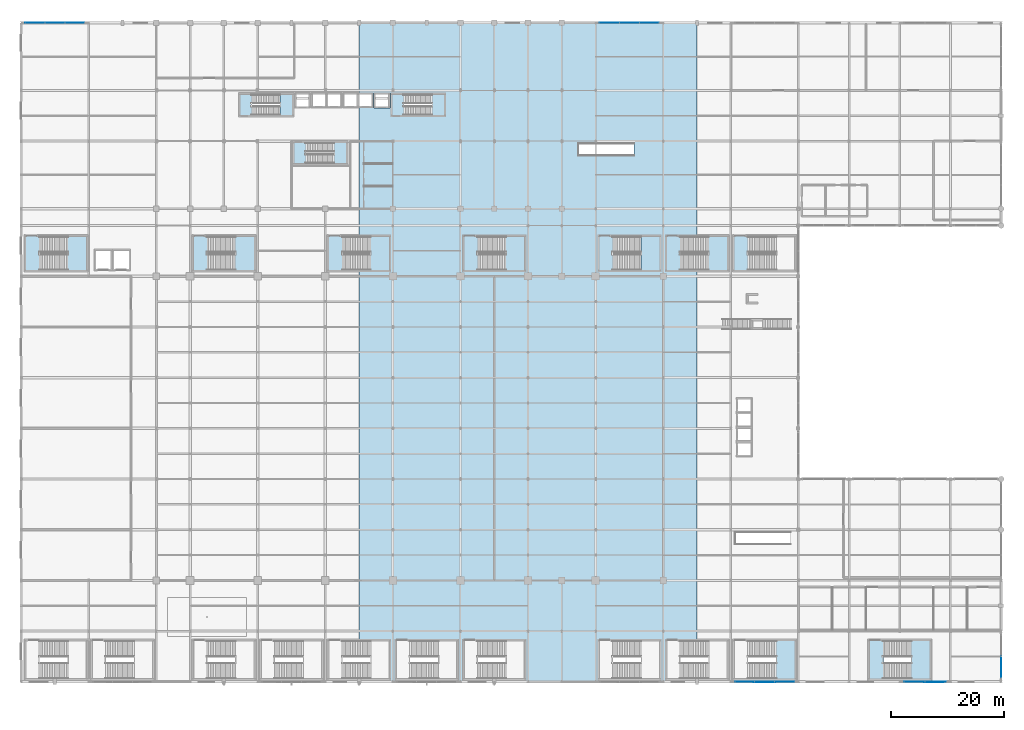
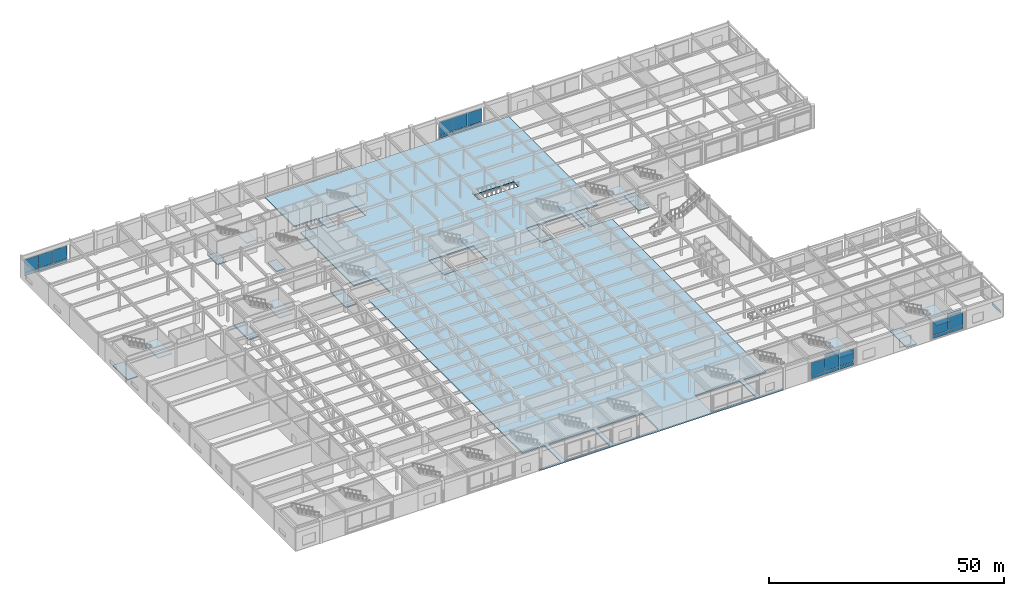
# One storey, part 85 of 108: 25 plates, 23 slabs, 16 elements without a shape of their own.
"""IFC4 building model written with IfcOpenShell, lengths in metres."""

from ifc_helpers import new_model, si_unit, direction, frame, origin, origin_2d, place, context, subcontext, project, spatial, polyline, rectangle, outline, extrude, material, layer, layer_set, type_object, element, aggregate, save


model = new_model("IFC4")

# Units and contexts
model_context = context("Model", 3, precision=1e-05, world=origin(), true_north=direction((0.0, 1.0)))
body_context = subcontext(model_context, "Body", "Model", "MODEL_VIEW")
ifc_project = project(units=[si_unit("LENGTHUNIT", "METRE"), si_unit("AREAUNIT", "SQUARE_METRE"), si_unit("VOLUMEUNIT", "CUBIC_METRE"), si_unit("PLANEANGLEUNIT", "RADIAN"), si_unit("MASSUNIT", "GRAM", prefix="KILO")], contexts=[model_context])

# Site, building, storey
site_placement = place(None, origin())
site = spatial("IfcSite", under=ifc_project, at=site_placement, CompositionType="ELEMENT")
building_placement = place(site_placement, origin())
building = spatial("IfcBuilding", under=site, at=building_placement, Name="Kaldorvane Square Convention Centre", CompositionType="ELEMENT")
storey_placement = place(building_placement, frame((0.0, 0.0, 12.0)))
storey = spatial("IfcBuildingStorey", under=building, at=storey_placement, Name="L02", CompositionType="ELEMENT", Elevation=12.0)

# Curtain wall, plates
ifc_material_1 = material(Name="Anodized Aluminum and Low-E Insulated Glazing", Category="aluminium")
curtain_wall_type_1 = type_object("IfcCurtainWallType", Name="CW-UNI-P60-12", PredefinedType="USERDEFINED", material=ifc_material_1)
curtain_wall_1_placement = place(storey_placement, origin())
curtain_wall_1 = element("IfcCurtainWall", 1, at=curtain_wall_1_placement, inside=storey, type_object=curtain_wall_type_1, Name="Curtain Wall CW-01 (L02)", ObjectType="UNITISED GLAZING", PredefinedType="USERDEFINED")
ifc_layer_1 = layer(ifc_material_1, 0.037994384765625)
ifc_layer_set_1 = layer_set([ifc_layer_1], Name="Anodized Aluminum and Low-E Insulated Glazing")
plate_type_1 = type_object("IfcPlateType", Name="CW-PNL-01", PredefinedType="CURTAIN_PANEL", material=ifc_layer_set_1)
plate_1_placement = place(storey_placement, frame((128.48541259765625, 0.0, 0.214996337890625), z_axis=(0.0, 0.0, 1.0), x_axis=(1.0, 0.0, 0.0)))
plate_1 = element("IfcPlate", 2, at=plate_1_placement, type_object=plate_type_1, Name="CW-01 panel 1.1", PredefinedType="CURTAIN_PANEL", context=body_context, shape_type="SweptSolid", body=[
    extrude(rectangle(XDim=3.42083740234375, YDim=0.037994384765625, at=origin_2d()), origin(), (0.0, 0.0, 1.0), 0.8025054931640625),
])
plate_2_placement = place(storey_placement, frame((128.48541259765625, 0.0, 1.082489013671875), z_axis=(0.0, 0.0, 1.0), x_axis=(1.0, 0.0, 0.0)))
plate_2 = element("IfcPlate", 3, at=plate_2_placement, type_object=plate_type_1, Name="CW-01 panel 1.2", PredefinedType="CURTAIN_PANEL", context=body_context, shape_type="SweptSolid", body=[
    extrude(rectangle(XDim=3.42083740234375, YDim=0.037994384765625, at=origin_2d()), origin(), (0.0, 0.0, 1.0), 3.38250732421875),
])
plate_3_placement = place(storey_placement, frame((132.0, 0.0, 0.214996337890625), z_axis=(0.0, 0.0, 1.0), x_axis=(1.0, 0.0, 0.0)))
plate_3 = element("IfcPlate", 4, at=plate_3_placement, type_object=plate_type_1, Name="CW-01 panel 2.1", PredefinedType="CURTAIN_PANEL", context=body_context, shape_type="SweptSolid", body=[
    extrude(rectangle(XDim=3.4583282470703125, YDim=0.037994384765625, at=origin_2d()), origin(), (0.0, 0.0, 1.0), 0.8025054931640625),
])
plate_4_placement = place(storey_placement, frame((132.0, 0.0, 1.082489013671875), z_axis=(0.0, 0.0, 1.0), x_axis=(1.0, 0.0, 0.0)))
plate_4 = element("IfcPlate", 5, at=plate_4_placement, type_object=plate_type_1, Name="CW-01 panel 2.2", PredefinedType="CURTAIN_PANEL", context=body_context, shape_type="SweptSolid", body=[
    extrude(rectangle(XDim=3.4583282470703125, YDim=0.037994384765625, at=origin_2d()), origin(), (0.0, 0.0, 1.0), 3.38250732421875),
])
plate_5_placement = place(storey_placement, frame((135.51458740234375, 0.0, 0.214996337890625), z_axis=(0.0, 0.0, 1.0), x_axis=(1.0, 0.0, 0.0)))
plate_5 = element("IfcPlate", 6, at=plate_5_placement, type_object=plate_type_1, Name="CW-01 panel 3.1", PredefinedType="CURTAIN_PANEL", context=body_context, shape_type="SweptSolid", body=[
    extrude(rectangle(XDim=3.42083740234375, YDim=0.037994384765625, at=origin_2d()), origin(), (0.0, 0.0, 1.0), 0.8025054931640625),
])
plate_6_placement = place(storey_placement, frame((135.51458740234375, 0.0, 1.082489013671875), z_axis=(0.0, 0.0, 1.0), x_axis=(1.0, 0.0, 0.0)))
plate_6 = element("IfcPlate", 7, at=plate_6_placement, type_object=plate_type_1, Name="CW-01 panel 3.2", PredefinedType="CURTAIN_PANEL", context=body_context, shape_type="SweptSolid", body=[
    extrude(rectangle(XDim=3.42083740234375, YDim=0.037994384765625, at=origin_2d()), origin(), (0.0, 0.0, 1.0), 3.38250732421875),
])
aggregate(curtain_wall_1, [plate_1, plate_2, plate_3, plate_4, plate_5, plate_6])

curtain_wall_2_placement = place(storey_placement, origin())
curtain_wall_2 = element("IfcCurtainWall", 8, at=curtain_wall_2_placement, inside=storey, type_object=curtain_wall_type_1, Name="Curtain Wall CW-01 (L02)", ObjectType="UNITISED GLAZING", PredefinedType="USERDEFINED")
plate_7_placement = place(storey_placement, frame((158.61874389648438, 0.0, 0.214996337890625), z_axis=(0.0, 0.0, 1.0), x_axis=(1.0, 0.0, 0.0)))
plate_7 = element("IfcPlate", 9, at=plate_7_placement, type_object=plate_type_1, Name="CW-01 panel 1.1", PredefinedType="CURTAIN_PANEL", context=body_context, shape_type="SweptSolid", body=[
    extrude(rectangle(XDim=3.6875, YDim=0.037994384765625, at=origin_2d()), origin(), (0.0, 0.0, 1.0), 0.8025054931640625),
])
plate_8_placement = place(storey_placement, frame((158.61874389648438, 0.0, 1.082489013671875), z_axis=(0.0, 0.0, 1.0), x_axis=(1.0, 0.0, 0.0)))
plate_8 = element("IfcPlate", 10, at=plate_8_placement, type_object=plate_type_1, Name="CW-01 panel 1.2", PredefinedType="CURTAIN_PANEL", context=body_context, shape_type="SweptSolid", body=[
    extrude(rectangle(XDim=3.6875, YDim=0.037994384765625, at=origin_2d()), origin(), (0.0, 0.0, 1.0), 3.38250732421875),
])
plate_9_placement = place(storey_placement, frame((162.38125610351562, 0.0, 0.214996337890625), z_axis=(0.0, 0.0, 1.0), x_axis=(1.0, 0.0, 0.0)))
plate_9 = element("IfcPlate", 11, at=plate_9_placement, type_object=plate_type_1, Name="CW-01 panel 2.1", PredefinedType="CURTAIN_PANEL", context=body_context, shape_type="SweptSolid", body=[
    extrude(rectangle(XDim=3.6875, YDim=0.037994384765625, at=origin_2d()), origin(), (0.0, 0.0, 1.0), 0.8025054931640625),
])
plate_10_placement = place(storey_placement, frame((162.38125610351562, 0.0, 1.082489013671875), z_axis=(0.0, 0.0, 1.0), x_axis=(1.0, 0.0, 0.0)))
plate_10 = element("IfcPlate", 12, at=plate_10_placement, type_object=plate_type_1, Name="CW-01 panel 2.2", PredefinedType="CURTAIN_PANEL", context=body_context, shape_type="SweptSolid", body=[
    extrude(rectangle(XDim=3.6875, YDim=0.037994384765625, at=origin_2d()), origin(), (0.0, 0.0, 1.0), 3.38250732421875),
])
aggregate(curtain_wall_2, [plate_7, plate_8, plate_9, plate_10])

curtain_wall_type_2 = type_object("IfcCurtainWallType", Name="CW-UNI-P60-09", PredefinedType="USERDEFINED", material=ifc_material_1)
curtain_wall_3_placement = place(storey_placement, origin())
curtain_wall_3 = element("IfcCurtainWall", 13, at=curtain_wall_3_placement, inside=storey, type_object=curtain_wall_type_2, Name="Curtain Wall CW-02 (L02)", ObjectType="UNITISED GLAZING", PredefinedType="USERDEFINED")
ifc_layer_2 = layer(ifc_material_1, 0.0359954833984375)
ifc_layer_set_2 = layer_set([ifc_layer_2], Name="Anodized Aluminum and Low-E Insulated Glazing")
plate_type_2 = type_object("IfcPlateType", Name="CW-PNL-02", PredefinedType="CURTAIN_PANEL", material=ifc_layer_set_2)
plate_11_placement = place(storey_placement, frame((9.51708984375, 117.0, 0.2100067138671875), z_axis=(0.0, 0.0, 1.0), x_axis=(-1.0, 0.0, 0.0)))
plate_11 = element("IfcPlate", 14, at=plate_11_placement, type_object=plate_type_2, Name="CW-02 panel 1.1", PredefinedType="CURTAIN_PANEL", context=body_context, shape_type="SweptSolid", body=[
    extrude(rectangle(XDim=3.4358367919921875, YDim=0.0359954833984375, at=origin_2d()), origin(), (0.0, 0.0, 1.0), 0.80999755859375),
])
plate_12_placement = place(storey_placement, frame((9.51708984375, 117.0, 1.079986572265625), z_axis=(0.0, 0.0, 1.0), x_axis=(-1.0, 0.0, 0.0)))
plate_12 = element("IfcPlate", 15, at=plate_12_placement, type_object=plate_type_2, Name="CW-02 panel 1.2", PredefinedType="CURTAIN_PANEL", context=body_context, shape_type="SweptSolid", body=[
    extrude(rectangle(XDim=3.4358367919921875, YDim=0.0359954833984375, at=origin_2d()), origin(), (0.0, 0.0, 1.0), 3.3899993896484375),
])
plate_13_placement = place(storey_placement, frame((6.0, 117.0, 0.2100067138671875), z_axis=(0.0, 0.0, 1.0), x_axis=(-1.0, 0.0, 0.0)))
plate_13 = element("IfcPlate", 16, at=plate_13_placement, type_object=plate_type_2, Name="CW-02 panel 2.1", PredefinedType="CURTAIN_PANEL", context=body_context, shape_type="SweptSolid", body=[
    extrude(rectangle(XDim=3.4683380126953125, YDim=0.0359954833984375, at=origin_2d()), origin(), (0.0, 0.0, 1.0), 0.80999755859375),
])
plate_14_placement = place(storey_placement, frame((6.0, 117.0, 1.079986572265625), z_axis=(0.0, 0.0, 1.0), x_axis=(-1.0, 0.0, 0.0)))
plate_14 = element("IfcPlate", 17, at=plate_14_placement, type_object=plate_type_2, Name="CW-02 panel 2.2", PredefinedType="CURTAIN_PANEL", context=body_context, shape_type="SweptSolid", body=[
    extrude(rectangle(XDim=3.4683380126953125, YDim=0.0359954833984375, at=origin_2d()), origin(), (0.0, 0.0, 1.0), 3.3899993896484375),
])
plate_15_placement = place(storey_placement, frame((2.48291015625, 117.0, 0.2100067138671875), z_axis=(0.0, 0.0, 1.0), x_axis=(-1.0, 0.0, 0.0)))
plate_15 = element("IfcPlate", 18, at=plate_15_placement, type_object=plate_type_2, Name="CW-02 panel 3.1", PredefinedType="CURTAIN_PANEL", context=body_context, shape_type="SweptSolid", body=[
    extrude(rectangle(XDim=3.4358367919921875, YDim=0.0359954833984375, at=origin_2d()), origin(), (0.0, 0.0, 1.0), 0.80999755859375),
])
plate_16_placement = place(storey_placement, frame((2.48291015625, 117.0, 1.079986572265625), z_axis=(0.0, 0.0, 1.0), x_axis=(-1.0, 0.0, 0.0)))
plate_16 = element("IfcPlate", 19, at=plate_16_placement, type_object=plate_type_2, Name="CW-02 panel 3.2", PredefinedType="CURTAIN_PANEL", context=body_context, shape_type="SweptSolid", body=[
    extrude(rectangle(XDim=3.4358367919921875, YDim=0.0359954833984375, at=origin_2d()), origin(), (0.0, 0.0, 1.0), 3.3899993896484375),
])
aggregate(curtain_wall_3, [plate_11, plate_12, plate_13, plate_14, plate_15, plate_16])

curtain_wall_4_placement = place(storey_placement, origin())
curtain_wall_4 = element("IfcCurtainWall", 20, at=curtain_wall_4_placement, inside=storey, type_object=curtain_wall_type_2, Name="Curtain Wall CW-02 (L02)", ObjectType="UNITISED GLAZING", PredefinedType="USERDEFINED")
plate_17_placement = place(storey_placement, frame((111.51708984375, 117.0, 0.2100067138671875), z_axis=(0.0, 0.0, 1.0), x_axis=(-1.0, 0.0, 0.0)))
plate_17 = element("IfcPlate", 21, at=plate_17_placement, type_object=plate_type_2, Name="CW-02 panel 1.1", PredefinedType="CURTAIN_PANEL", context=body_context, shape_type="SweptSolid", body=[
    extrude(rectangle(XDim=3.4358367919921875, YDim=0.0359954833984375, at=origin_2d()), origin(), (0.0, 0.0, 1.0), 0.80999755859375),
])
plate_18_placement = place(storey_placement, frame((111.51708984375, 117.0, 1.079986572265625), z_axis=(0.0, 0.0, 1.0), x_axis=(-1.0, 0.0, 0.0)))
plate_18 = element("IfcPlate", 22, at=plate_18_placement, type_object=plate_type_2, Name="CW-02 panel 1.2", PredefinedType="CURTAIN_PANEL", context=body_context, shape_type="SweptSolid", body=[
    extrude(rectangle(XDim=3.4358367919921875, YDim=0.0359954833984375, at=origin_2d()), origin(), (0.0, 0.0, 1.0), 3.3899993896484375),
])
plate_19_placement = place(storey_placement, frame((108.0, 117.0, 0.2100067138671875), z_axis=(0.0, 0.0, 1.0), x_axis=(-1.0, 0.0, 0.0)))
plate_19 = element("IfcPlate", 23, at=plate_19_placement, type_object=plate_type_2, Name="CW-02 panel 2.1", PredefinedType="CURTAIN_PANEL", context=body_context, shape_type="SweptSolid", body=[
    extrude(rectangle(XDim=3.4683380126953125, YDim=0.0359954833984375, at=origin_2d()), origin(), (0.0, 0.0, 1.0), 0.80999755859375),
])
plate_20_placement = place(storey_placement, frame((108.0, 117.0, 1.079986572265625), z_axis=(0.0, 0.0, 1.0), x_axis=(-1.0, 0.0, 0.0)))
plate_20 = element("IfcPlate", 24, at=plate_20_placement, type_object=plate_type_2, Name="CW-02 panel 2.2", PredefinedType="CURTAIN_PANEL", context=body_context, shape_type="SweptSolid", body=[
    extrude(rectangle(XDim=3.4683380126953125, YDim=0.0359954833984375, at=origin_2d()), origin(), (0.0, 0.0, 1.0), 3.3899993896484375),
])
plate_21_placement = place(storey_placement, frame((104.48291015625, 117.0, 0.2100067138671875), z_axis=(0.0, 0.0, 1.0), x_axis=(-1.0, 0.0, 0.0)))
plate_21 = element("IfcPlate", 25, at=plate_21_placement, type_object=plate_type_2, Name="CW-02 panel 3.1", PredefinedType="CURTAIN_PANEL", context=body_context, shape_type="SweptSolid", body=[
    extrude(rectangle(XDim=3.4358367919921875, YDim=0.0359954833984375, at=origin_2d()), origin(), (0.0, 0.0, 1.0), 0.80999755859375),
])
plate_22_placement = place(storey_placement, frame((104.48291015625, 117.0, 1.079986572265625), z_axis=(0.0, 0.0, 1.0), x_axis=(-1.0, 0.0, 0.0)))
plate_22 = element("IfcPlate", 26, at=plate_22_placement, type_object=plate_type_2, Name="CW-02 panel 3.2", PredefinedType="CURTAIN_PANEL", context=body_context, shape_type="SweptSolid", body=[
    extrude(rectangle(XDim=3.4358367919921875, YDim=0.0359954833984375, at=origin_2d()), origin(), (0.0, 0.0, 1.0), 3.3899993896484375),
])
aggregate(curtain_wall_4, [plate_17, plate_18, plate_19, plate_20, plate_21, plate_22])

# Curtain wall, plate
curtain_wall_5_placement = place(storey_placement, origin())
curtain_wall_5 = element("IfcCurtainWall", 27, at=curtain_wall_5_placement, inside=storey, type_object=curtain_wall_type_2, Name="Curtain Wall CW-02 (L02)", ObjectType="UNITISED GLAZING", PredefinedType="USERDEFINED")
ifc_layer_3 = layer(ifc_material_1, 0.029998779296875)
ifc_layer_set_3 = layer_set([ifc_layer_3], Name="Anodized Aluminum and Low-E Insulated Glazing")
plate_type_3 = type_object("IfcPlateType", Name="CW-PNL-05", PredefinedType="CURTAIN_PANEL", material=ifc_layer_set_3)
plate_23_placement = place(storey_placement, frame((174.0, 2.59124755859375, 0.2100067138671875), z_axis=(0.0, 0.0, 1.0), x_axis=(0.0, 1.0, 0.0)))
plate_23 = element("IfcPlate", 28, at=plate_23_placement, type_object=plate_type_3, Name="CW-02 panel 1.1", PredefinedType="CURTAIN_PANEL", context=body_context, shape_type="SweptSolid", body=[
    extrude(rectangle(XDim=3.75250244140625, YDim=0.029998779296875, at=origin_2d()), origin(), (0.0, 0.0, 1.0), 0.80999755859375),
])
aggregate(curtain_wall_5, [plate_23])

# Plates
ifc_material_2 = material(Name="Concrete f'c = 42 MPa (Normalweight) Precast", Category="concrete")
ifc_layer_4 = layer(ifc_material_2, 0.05999755859375)
ifc_layer_set_4 = layer_set([ifc_layer_4], Name="Concrete f'c = 42 MPa (Normalweight) Precast")
plate_type_4 = type_object("IfcPlateType", Name="PL-FASCIA-05", PredefinedType="USERDEFINED", material=ifc_layer_set_4)
plate_24_placement = place(storey_placement, frame((132.0, -0.0200042724609375, 4.70001220703125), z_axis=(0.0, 0.0, 1.0), x_axis=(1.0, 0.0, 0.0)))
element("IfcPlate", 29, at=plate_24_placement, inside=storey, type_object=plate_type_4, Name="Precast Spandrel Fascia Plate (L02)", ObjectType="CLADDING", PredefinedType="USERDEFINED", context=body_context, shape_type="SweptSolid", body=[
    extrude(rectangle(XDim=3.8000030517578125, YDim=0.05999755859375, at=origin_2d()), origin(), (0.0, 0.0, 1.0), 0.8000030517578125),
])
ifc_layer_5 = layer(ifc_material_2, 0.052001953125)
ifc_layer_set_5 = layer_set([ifc_layer_5], Name="Concrete f'c = 42 MPa (Normalweight) Precast")
plate_type_5 = type_object("IfcPlateType", Name="PL-FASCIA-06", PredefinedType="USERDEFINED", material=ifc_layer_set_5)
plate_25_placement = place(storey_placement, frame((162.0, -0.0160064697265625, 4.7100067138671875), z_axis=(0.0, 0.0, 1.0), x_axis=(1.0, 0.0, 0.0)))
element("IfcPlate", 30, at=plate_25_placement, inside=storey, type_object=plate_type_5, Name="Precast Spandrel Fascia Plate (L02)", ObjectType="CLADDING", PredefinedType="USERDEFINED", context=body_context, shape_type="SweptSolid", body=[
    extrude(rectangle(XDim=3.399993896484375, YDim=0.052001953125, at=origin_2d()), origin(), (0.0, 0.0, 1.0), 0.779998779296875),
])

# Slabs
ifc_material_3 = material(Name="Concrete f'c = 42 MPa (Normalweight)", Category="concrete")
ifc_layer_6 = layer(ifc_material_3, 0.279998779296875)
ifc_layer_set_6 = layer_set([ifc_layer_6], Name="Concrete f'c = 42 MPa (Normalweight)")
slab_type_1 = type_object("IfcSlabType", Name="SL-FLND-280", PredefinedType="FLOOR", material=ifc_layer_set_6)
slab_1_placement = place(storey_placement, frame((0.0, 0.0, -0.279998779296875)))
element("IfcSlab", 31, at=slab_1_placement, inside=storey, type_object=slab_type_1, Name="Tower Exit Stair T1 Floor Landing (L02)", PredefinedType="FLOOR", context=body_context, shape_type="SweptSolid", body=[
    extrude(outline(polyline([(38.779998779296875, 100.49000549316406), (40.97999572753906, 100.49000549316406), (40.97999572753906, 104.3699951171875), (38.779998779296875, 104.3699951171875), (38.779998779296875, 100.49000549316406)])), origin(), (0.0, 0.0, 1.0), 0.279998779296875),
])
slab_2_placement = place(storey_placement, frame((0.0, 0.0, -0.279998779296875)))
element("IfcSlab", 32, at=slab_2_placement, inside=storey, type_object=slab_type_1, Name="Tower Exit Stair T2 Floor Landing (L02)", PredefinedType="FLOOR", context=body_context, shape_type="SweptSolid", body=[
    extrude(outline(polyline([(65.77999877929688, 100.49000549316406), (67.97999572753906, 100.49000549316406), (67.97999572753906, 104.3699951171875), (65.77999877929688, 104.3699951171875), (65.77999877929688, 100.49000549316406)])), origin(), (0.0, 0.0, 1.0), 0.279998779296875),
])
slab_3_placement = place(storey_placement, frame((0.0, 0.0, -0.279998779296875)))
element("IfcSlab", 33, at=slab_3_placement, inside=storey, type_object=slab_type_1, Name="Tower Exit Stair T3 Floor Landing (L02)", PredefinedType="FLOOR", context=body_context, shape_type="SweptSolid", body=[
    extrude(outline(polyline([(48.3800048828125, 91.94000244140625), (50.58000183105469, 91.94000244140625), (50.58000183105469, 95.82000732421875), (48.3800048828125, 95.82000732421875), (48.3800048828125, 91.94000244140625)])), origin(), (0.0, 0.0, 1.0), 0.279998779296875),
])
slab_4_placement = place(storey_placement, frame((0.0, 0.0, -0.279998779296875)))
element("IfcSlab", 34, at=slab_4_placement, inside=storey, type_object=slab_type_1, Name="Convention Exit Stair C11 Floor Landing (L02)", PredefinedType="FLOOR", context=body_context, shape_type="SweptSolid", body=[
    extrude(outline(polyline([(150.52000427246094, 0.42999267578125), (153.07000732421875, 0.42999267578125), (153.07000732421875, 7.3800048828125), (150.52000427246094, 7.3800048828125), (150.52000427246094, 0.42999267578125)])), origin(), (0.0, 0.0, 1.0), 0.279998779296875),
])
slab_5_placement = place(storey_placement, frame((0.0, 0.0, -0.279998779296875)))
element("IfcSlab", 35, at=slab_5_placement, inside=storey, type_object=slab_type_1, Name="Convention Exit Stair C12 Floor Landing (L02)", PredefinedType="FLOOR", context=body_context, shape_type="SweptSolid", body=[
    extrude(outline(polyline([(0.7400054931640625, 72.97999572753906), (3.2899932861328125, 72.97999572753906), (3.2899932861328125, 79.17999267578125), (0.7400054931640625, 79.17999267578125), (0.7400054931640625, 72.97999572753906)])), origin(), (0.0, 0.0, 1.0), 0.279998779296875),
])
slab_6_placement = place(storey_placement, frame((0.0, 0.0, -0.279998779296875)))
element("IfcSlab", 36, at=slab_6_placement, inside=storey, type_object=slab_type_1, Name="Convention Exit Stair C13 Floor Landing (L02)", PredefinedType="FLOOR", context=body_context, shape_type="SweptSolid", body=[
    extrude(outline(polyline([(30.520004272460938, 72.97999572753906), (33.07000732421875, 72.97999572753906), (33.07000732421875, 79.17999267578125), (30.520004272460938, 79.17999267578125), (30.520004272460938, 72.97999572753906)])), origin(), (0.0, 0.0, 1.0), 0.279998779296875),
])
slab_7_placement = place(storey_placement, frame((0.0, 0.0, -0.279998779296875)))
element("IfcSlab", 37, at=slab_7_placement, inside=storey, type_object=slab_type_1, Name="Convention Exit Stair C14 Floor Landing (L02)", PredefinedType="FLOOR", context=body_context, shape_type="SweptSolid", body=[
    extrude(outline(polyline([(54.52000427246094, 72.97999572753906), (57.07000732421875, 72.97999572753906), (57.07000732421875, 79.17999267578125), (54.52000427246094, 79.17999267578125), (54.52000427246094, 72.97999572753906)])), origin(), (0.0, 0.0, 1.0), 0.279998779296875),
])
slab_8_placement = place(storey_placement, frame((0.0, 0.0, -0.279998779296875)))
element("IfcSlab", 38, at=slab_8_placement, inside=storey, type_object=slab_type_1, Name="Convention Exit Stair C15 Floor Landing (L02)", PredefinedType="FLOOR", context=body_context, shape_type="SweptSolid", body=[
    extrude(outline(polyline([(78.52000427246094, 72.97999572753906), (81.07000732421875, 72.97999572753906), (81.07000732421875, 79.17999267578125), (78.52000427246094, 79.17999267578125), (78.52000427246094, 72.97999572753906)])), origin(), (0.0, 0.0, 1.0), 0.279998779296875),
])
slab_9_placement = place(storey_placement, frame((0.0, 0.0, -0.279998779296875)))
element("IfcSlab", 39, at=slab_9_placement, inside=storey, type_object=slab_type_1, Name="Convention Exit Stair C16 Floor Landing (L02)", PredefinedType="FLOOR", context=body_context, shape_type="SweptSolid", body=[
    extrude(outline(polyline([(102.52000427246094, 72.97999572753906), (105.07000732421875, 72.97999572753906), (105.07000732421875, 79.17999267578125), (102.52000427246094, 79.17999267578125), (102.52000427246094, 72.97999572753906)])), origin(), (0.0, 0.0, 1.0), 0.279998779296875),
])
slab_10_placement = place(storey_placement, frame((0.0, 0.0, -0.279998779296875)))
element("IfcSlab", 40, at=slab_10_placement, inside=storey, type_object=slab_type_1, Name="Convention Exit Stair C17 Floor Landing (L02)", PredefinedType="FLOOR", context=body_context, shape_type="SweptSolid", body=[
    extrude(outline(polyline([(114.52000427246094, 72.97999572753906), (117.07000732421875, 72.97999572753906), (117.07000732421875, 79.17999267578125), (114.52000427246094, 79.17999267578125), (114.52000427246094, 72.97999572753906)])), origin(), (0.0, 0.0, 1.0), 0.279998779296875),
])
slab_11_placement = place(storey_placement, frame((0.0, 0.0, -0.279998779296875)))
element("IfcSlab", 41, at=slab_11_placement, inside=storey, type_object=slab_type_1, Name="Convention Exit Stair C18 Floor Landing (L02)", PredefinedType="FLOOR", context=body_context, shape_type="SweptSolid", body=[
    extrude(outline(polyline([(126.52000427246094, 72.97999572753906), (129.07000732421875, 72.97999572753906), (129.07000732421875, 79.17999267578125), (126.52000427246094, 79.17999267578125), (126.52000427246094, 72.97999572753906)])), origin(), (0.0, 0.0, 1.0), 0.279998779296875),
])

# Stair, slab
stair_type_1 = type_object("IfcStairType", Name="ST-DL-1600-6000", PredefinedType="HALF_TURN_STAIR", material=ifc_material_3)
stair_1_placement = place(storey_placement, origin())
stair_1 = element("IfcStair", 42, at=stair_1_placement, inside=storey, type_object=stair_type_1, Name="Tower Exit Stair T1 (L02)", PredefinedType="HALF_TURN_STAIR")
ifc_layer_7 = layer(ifc_material_3, 0.2400054931640625)
ifc_layer_set_7 = layer_set([ifc_layer_7], Name="Concrete f'c = 42 MPa (Normalweight)")
slab_type_2 = type_object("IfcSlabType", Name="SL-LAND-240", PredefinedType="LANDING", material=ifc_layer_set_7)
slab_12_placement = place(storey_placement, frame((0.0, 0.0, 2.7599945068359375)))
slab_12 = element("IfcSlab", 43, at=slab_12_placement, type_object=slab_type_2, Name="Tower Exit Stair T1 Half Landing (L02)", PredefinedType="LANDING", context=body_context, shape_type="SweptSolid", body=[
    extrude(outline(polyline([(45.91999816894531, 100.49000549316406), (48.220001220703125, 100.49000549316406), (48.220001220703125, 104.3699951171875), (45.91999816894531, 104.3699951171875), (45.91999816894531, 100.49000549316406)])), origin(), (0.0, 0.0, 1.0), 0.2400054931640625),
])
aggregate(stair_1, [slab_12])

stair_2_placement = place(storey_placement, origin())
stair_2 = element("IfcStair", 44, at=stair_2_placement, inside=storey, type_object=stair_type_1, Name="Tower Exit Stair T2 (L02)", PredefinedType="HALF_TURN_STAIR")
slab_13_placement = place(storey_placement, frame((0.0, 0.0, 2.7599945068359375)))
slab_13 = element("IfcSlab", 45, at=slab_13_placement, type_object=slab_type_2, Name="Tower Exit Stair T2 Half Landing (L02)", PredefinedType="LANDING", context=body_context, shape_type="SweptSolid", body=[
    extrude(outline(polyline([(72.91999816894531, 100.49000549316406), (75.22000122070312, 100.49000549316406), (75.22000122070312, 104.3699951171875), (72.91999816894531, 104.3699951171875), (72.91999816894531, 100.49000549316406)])), origin(), (0.0, 0.0, 1.0), 0.2400054931640625),
])
aggregate(stair_2, [slab_13])

stair_3_placement = place(storey_placement, origin())
stair_3 = element("IfcStair", 46, at=stair_3_placement, inside=storey, type_object=stair_type_1, Name="Tower Exit Stair T3 (L02)", PredefinedType="HALF_TURN_STAIR")
slab_14_placement = place(storey_placement, frame((0.0, 0.0, 2.7599945068359375)))
slab_14 = element("IfcSlab", 47, at=slab_14_placement, type_object=slab_type_2, Name="Tower Exit Stair T3 Half Landing (L02)", PredefinedType="LANDING", context=body_context, shape_type="SweptSolid", body=[
    extrude(outline(polyline([(55.52000427246094, 91.94000244140625), (57.82000732421875, 91.94000244140625), (57.82000732421875, 95.82000732421875), (55.52000427246094, 95.82000732421875), (55.52000427246094, 91.94000244140625)])), origin(), (0.0, 0.0, 1.0), 0.2400054931640625),
])
aggregate(stair_3, [slab_14])

stair_type_2 = type_object("IfcStairType", Name="ST-DL-2800-6000-D6710", PredefinedType="HALF_TURN_STAIR", material=ifc_material_3)
stair_4_placement = place(storey_placement, origin())
stair_4 = element("IfcStair", 48, at=stair_4_placement, inside=storey, type_object=stair_type_2, Name="Convention Exit Stair C10 (L02)", PredefinedType="HALF_TURN_STAIR")
slab_15_placement = place(storey_placement, frame((0.0, 0.0, 2.7599945068359375)))
slab_15 = element("IfcSlab", 49, at=slab_15_placement, type_object=slab_type_2, Name="Convention Exit Stair C10 Half Landing (L02)", PredefinedType="LANDING", context=body_context, shape_type="SweptSolid", body=[
    extrude(outline(polyline([(134.00999450683594, 0.42999267578125), (137.47999572753906, 0.42999267578125), (137.47999572753906, 7.3800048828125), (134.00999450683594, 7.3800048828125), (134.00999450683594, 0.42999267578125)])), origin(), (0.0, 0.0, 1.0), 0.2400054931640625),
])
aggregate(stair_4, [slab_15])

stair_5_placement = place(storey_placement, origin())
stair_5 = element("IfcStair", 50, at=stair_5_placement, inside=storey, type_object=stair_type_2, Name="Convention Exit Stair C11 (L02)", PredefinedType="HALF_TURN_STAIR")
slab_16_placement = place(storey_placement, frame((0.0, 0.0, 2.7599945068359375)))
slab_16 = element("IfcSlab", 51, at=slab_16_placement, type_object=slab_type_2, Name="Convention Exit Stair C11 Half Landing (L02)", PredefinedType="LANDING", context=body_context, shape_type="SweptSolid", body=[
    extrude(outline(polyline([(158.00999450683594, 0.42999267578125), (161.47999572753906, 0.42999267578125), (161.47999572753906, 7.3800048828125), (158.00999450683594, 7.3800048828125), (158.00999450683594, 0.42999267578125)])), origin(), (0.0, 0.0, 1.0), 0.2400054931640625),
])
aggregate(stair_5, [slab_16])

stair_type_3 = type_object("IfcStairType", Name="ST-DL-2800-6000", PredefinedType="HALF_TURN_STAIR", material=ifc_material_3)
stair_6_placement = place(storey_placement, origin())
stair_6 = element("IfcStair", 52, at=stair_6_placement, inside=storey, type_object=stair_type_3, Name="Convention Exit Stair C12 (L02)", PredefinedType="HALF_TURN_STAIR")
slab_17_placement = place(storey_placement, frame((0.0, 0.0, 2.7599945068359375)))
slab_17 = element("IfcSlab", 53, at=slab_17_placement, type_object=slab_type_2, Name="Convention Exit Stair C12 Half Landing (L02)", PredefinedType="LANDING", context=body_context, shape_type="SweptSolid", body=[
    extrude(outline(polyline([(8.229995727539062, 72.97999572753906), (11.699996948242188, 72.97999572753906), (11.699996948242188, 79.17999267578125), (8.229995727539062, 79.17999267578125), (8.229995727539062, 72.97999572753906)])), origin(), (0.0, 0.0, 1.0), 0.2400054931640625),
])
aggregate(stair_6, [slab_17])

stair_7_placement = place(storey_placement, origin())
stair_7 = element("IfcStair", 54, at=stair_7_placement, inside=storey, type_object=stair_type_3, Name="Convention Exit Stair C13 (L02)", PredefinedType="HALF_TURN_STAIR")
slab_18_placement = place(storey_placement, frame((0.0, 0.0, 2.7599945068359375)))
slab_18 = element("IfcSlab", 55, at=slab_18_placement, type_object=slab_type_2, Name="Convention Exit Stair C13 Half Landing (L02)", PredefinedType="LANDING", context=body_context, shape_type="SweptSolid", body=[
    extrude(outline(polyline([(38.00999450683594, 72.97999572753906), (41.47999572753906, 72.97999572753906), (41.47999572753906, 79.17999267578125), (38.00999450683594, 79.17999267578125), (38.00999450683594, 72.97999572753906)])), origin(), (0.0, 0.0, 1.0), 0.2400054931640625),
])
aggregate(stair_7, [slab_18])

stair_8_placement = place(storey_placement, origin())
stair_8 = element("IfcStair", 56, at=stair_8_placement, inside=storey, type_object=stair_type_3, Name="Convention Exit Stair C14 (L02)", PredefinedType="HALF_TURN_STAIR")
slab_19_placement = place(storey_placement, frame((0.0, 0.0, 2.7599945068359375)))
slab_19 = element("IfcSlab", 57, at=slab_19_placement, type_object=slab_type_2, Name="Convention Exit Stair C14 Half Landing (L02)", PredefinedType="LANDING", context=body_context, shape_type="SweptSolid", body=[
    extrude(outline(polyline([(62.00999450683594, 72.97999572753906), (65.47999572753906, 72.97999572753906), (65.47999572753906, 79.17999267578125), (62.00999450683594, 79.17999267578125), (62.00999450683594, 72.97999572753906)])), origin(), (0.0, 0.0, 1.0), 0.2400054931640625),
])
aggregate(stair_8, [slab_19])

stair_9_placement = place(storey_placement, origin())
stair_9 = element("IfcStair", 58, at=stair_9_placement, inside=storey, type_object=stair_type_3, Name="Convention Exit Stair C15 (L02)", PredefinedType="HALF_TURN_STAIR")
slab_20_placement = place(storey_placement, frame((0.0, 0.0, 2.7599945068359375)))
slab_20 = element("IfcSlab", 59, at=slab_20_placement, type_object=slab_type_2, Name="Convention Exit Stair C15 Half Landing (L02)", PredefinedType="LANDING", context=body_context, shape_type="SweptSolid", body=[
    extrude(outline(polyline([(86.00999450683594, 72.97999572753906), (89.47999572753906, 72.97999572753906), (89.47999572753906, 79.17999267578125), (86.00999450683594, 79.17999267578125), (86.00999450683594, 72.97999572753906)])), origin(), (0.0, 0.0, 1.0), 0.2400054931640625),
])
aggregate(stair_9, [slab_20])

stair_10_placement = place(storey_placement, origin())
stair_10 = element("IfcStair", 60, at=stair_10_placement, inside=storey, type_object=stair_type_3, Name="Convention Exit Stair C16 (L02)", PredefinedType="HALF_TURN_STAIR")
slab_21_placement = place(storey_placement, frame((0.0, 0.0, 2.7599945068359375)))
slab_21 = element("IfcSlab", 61, at=slab_21_placement, type_object=slab_type_2, Name="Convention Exit Stair C16 Half Landing (L02)", PredefinedType="LANDING", context=body_context, shape_type="SweptSolid", body=[
    extrude(outline(polyline([(110.00999450683594, 72.97999572753906), (113.47999572753906, 72.97999572753906), (113.47999572753906, 79.17999267578125), (110.00999450683594, 79.17999267578125), (110.00999450683594, 72.97999572753906)])), origin(), (0.0, 0.0, 1.0), 0.2400054931640625),
])
aggregate(stair_10, [slab_21])

stair_11_placement = place(storey_placement, origin())
stair_11 = element("IfcStair", 62, at=stair_11_placement, inside=storey, type_object=stair_type_3, Name="Convention Exit Stair C17 (L02)", PredefinedType="HALF_TURN_STAIR")
slab_22_placement = place(storey_placement, frame((0.0, 0.0, 2.7599945068359375)))
slab_22 = element("IfcSlab", 63, at=slab_22_placement, type_object=slab_type_2, Name="Convention Exit Stair C17 Half Landing (L02)", PredefinedType="LANDING", context=body_context, shape_type="SweptSolid", body=[
    extrude(outline(polyline([(122.00999450683594, 72.97999572753906), (125.47999572753906, 72.97999572753906), (125.47999572753906, 79.17999267578125), (122.00999450683594, 79.17999267578125), (122.00999450683594, 72.97999572753906)])), origin(), (0.0, 0.0, 1.0), 0.2400054931640625),
])
aggregate(stair_11, [slab_22])

# Slab
ifc_layer_8 = layer(ifc_material_3, 0.32000732421875)
ifc_layer_set_8 = layer_set([ifc_layer_8], Name="Concrete f'c = 42 MPa (Normalweight)")
slab_type_3 = type_object("IfcSlabType", Name="SL-POD-300", PredefinedType="FLOOR", material=ifc_layer_set_8)
slab_23_placement = place(storey_placement, frame((0.0, 0.0, -0.32000732421875)))
element("IfcSlab", 64, at=slab_23_placement, inside=storey, type_object=slab_type_3, Name="Podium Composite Floor Slab L02-2", PredefinedType="FLOOR", context=body_context, shape_type="SweptSolid", body=[
    extrude(outline(polyline([(120.0, 117.0), (120.0, 79.17999267578125), (114.52000427246094, 79.17999267578125), (114.52000427246094, 72.97999572753906), (120.0, 72.97999572753906), (120.0, 7.3800048828125), (114.52000427246094, 7.3800048828125), (114.52000427246094, 0.42999267578125), (120.0, 0.42999267578125), (120.0, 0.0), (60.0, 0.0), (60.0, 0.42999267578125), (65.47999572753906, 0.42999267578125), (65.47999572753906, 7.3800048828125), (60.0, 7.3800048828125), (60.0, 72.97999572753906), (65.47999572753906, 72.97999572753906), (65.47999572753906, 79.17999267578125), (60.0, 79.17999267578125), (60.0, 101.94999694824219), (62.5, 101.94999694824219), (62.5, 104.55000305175781), (60.0, 104.55000305175781), (60.0, 117.0), (120.0, 117.0)]), holes=[polyline([(65.44999694824219, 101.85000610351562), (65.44999694824219, 104.55000305175781), (62.649993896484375, 104.55000305175781), (62.649993896484375, 101.85000610351562), (65.44999694824219, 101.85000610351562)]), polyline([(113.47999572753906, 0.42999267578125), (113.47999572753906, 7.3800048828125), (102.52000427246094, 7.3800048828125), (102.52000427246094, 0.42999267578125), (113.47999572753906, 0.42999267578125)]), polyline([(89.47999572753906, 0.42999267578125), (89.47999572753906, 7.3800048828125), (78.52000427246094, 7.3800048828125), (78.52000427246094, 0.42999267578125), (89.47999572753906, 0.42999267578125)]), polyline([(77.47999572753906, 0.42999267578125), (77.47999572753906, 7.3800048828125), (66.52000427246094, 7.3800048828125), (66.52000427246094, 0.42999267578125), (77.47999572753906, 0.42999267578125)]), polyline([(113.47999572753906, 72.97999572753906), (113.47999572753906, 79.17999267578125), (102.52000427246094, 79.17999267578125), (102.52000427246094, 72.97999572753906), (113.47999572753906, 72.97999572753906)]), polyline([(89.47999572753906, 72.97999572753906), (89.47999572753906, 79.17999267578125), (78.52000427246094, 79.17999267578125), (78.52000427246094, 72.97999572753906), (89.47999572753906, 72.97999572753906)]), polyline([(99.0, 93.5), (108.80000305175781, 93.5), (108.80000305175781, 95.5), (99.0, 95.5), (99.0, 93.5)]), polyline([(65.77999877929688, 100.49000549316406), (75.22000122070312, 100.49000549316406), (75.22000122070312, 104.3699951171875), (65.77999877929688, 104.3699951171875), (65.77999877929688, 100.49000549316406)])]), origin(), (0.0, 0.0, 1.0), 0.32000732421875),
])

save(model, "model.ifc")
